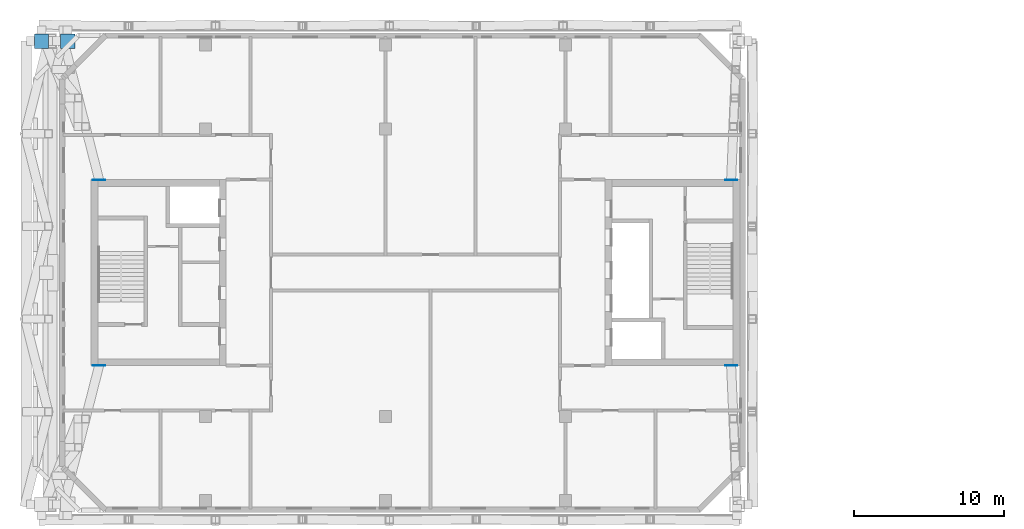
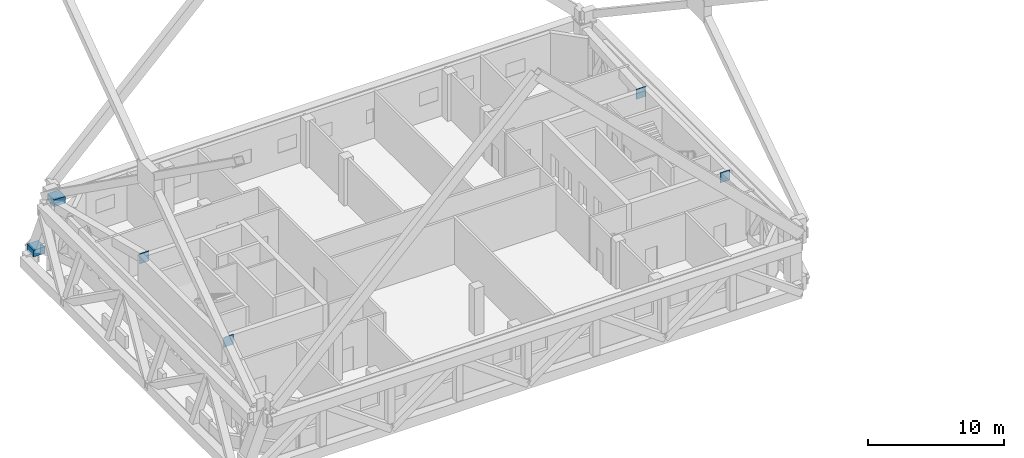
# One storey, part 18 of 20: 6 discrete accessories.
"""IFC4 building model written with IfcOpenShell, lengths in metres."""

from ifc_helpers import new_model, si_unit, direction, frame, origin, origin_2d, place, context, subcontext, project, spatial, rectangle, extrude, element, save


model = new_model("IFC4")

# Units and contexts
model_context = context("Model", 3, precision=1e-05, world=origin(), true_north=direction((0.0, 1.0)))
body_context = subcontext(model_context, "Body", "Model", "MODEL_VIEW")
ifc_project = project(units=[si_unit("LENGTHUNIT", "METRE"), si_unit("AREAUNIT", "SQUARE_METRE"), si_unit("VOLUMEUNIT", "CUBIC_METRE"), si_unit("PLANEANGLEUNIT", "RADIAN"), si_unit("MASSUNIT", "GRAM", prefix="KILO")], contexts=[model_context])

# Site, building, storey
site_placement = place(None, origin())
site = spatial("IfcSite", under=ifc_project, at=site_placement, CompositionType="ELEMENT")
building_placement = place(site_placement, origin())
building = spatial("IfcBuilding", under=site, at=building_placement, Name="Tuart Gate Housing", CompositionType="ELEMENT")
storey_placement = place(building_placement, frame((0.0, 0.0, 167.10009765625)))
storey = spatial("IfcBuildingStorey", under=building, at=storey_placement, Name="L47", CompositionType="ELEMENT", Elevation=167.10009765625)

# Discrete accessories
for number, where, z_axis, x_axis, name in (
    (1, (29.050048828125, 85.449951171875, -0.000244140625), (0.0, 0.0, 1.0), (1.0, 0.0, 0.0), "Mega column node A north-west foot L47"),
    (2, (30.800048828125, 85.449951171875, 3.89990234375), (0.0, 0.0, 1.0), (1.0, 0.0, 0.0), "Mega column node A north-west head L47"),
):
    element("IfcDiscreteAccessory", number, at=place(storey_placement, frame(where, z_axis=z_axis, x_axis=x_axis)), inside=storey, Name=name, ObjectType="Mega column node", PredefinedType="USERDEFINED", context=body_context, shape_type="SweptSolid", body=[
        extrude(rectangle(XDim=0.9599609375, YDim=0.9599609375, at=origin_2d()), origin(), (0.0, 0.0, 1.0), 0.60009765625),
    ])
for number, where, z_axis, x_axis, name in (
    (3, (32.89599609375, 63.820068359375, 3.349853515625), (0.0, 0.0, 1.0), (1.0, 0.0, 0.0), "Outrigger embed plate AK south L47"),
    (4, (32.89599609375, 76.179931640625, 3.349853515625), (0.0, 0.0, 1.0), (1.0, 0.0, 0.0), "Outrigger embed plate AK north L47"),
):
    element("IfcDiscreteAccessory", number, at=place(storey_placement, frame(where, z_axis=z_axis, x_axis=x_axis)), inside=storey, Name=name, PredefinedType="ANCHORPLATE", context=body_context, shape_type="SweptSolid", body=[
        extrude(rectangle(XDim=0.8193359375, YDim=0.0400390625, at=origin_2d()), origin(), (0.0, 0.0, 1.0), 0.89990234375),
    ])
for number, where, z_axis, x_axis, name in (
    (5, (75.05078125, 63.820068359375, 3.349853515625), (0.0, 0.0, 1.0), (1.0, 0.0, 0.0), "Outrigger embed plate AG south L47"),
    (6, (75.05078125, 76.179931640625, 3.349853515625), (0.0, 0.0, 1.0), (1.0, 0.0, 0.0), "Outrigger embed plate AG north L47"),
):
    element("IfcDiscreteAccessory", number, at=place(storey_placement, frame(where, z_axis=z_axis, x_axis=x_axis)), inside=storey, Name=name, PredefinedType="ANCHORPLATE", context=body_context, shape_type="SweptSolid", body=[
        extrude(rectangle(XDim=0.800537109375, YDim=0.0400390625, at=origin_2d()), origin(), (0.0, 0.0, 1.0), 0.89990234375),
    ])

save(model, "model.ifc")
